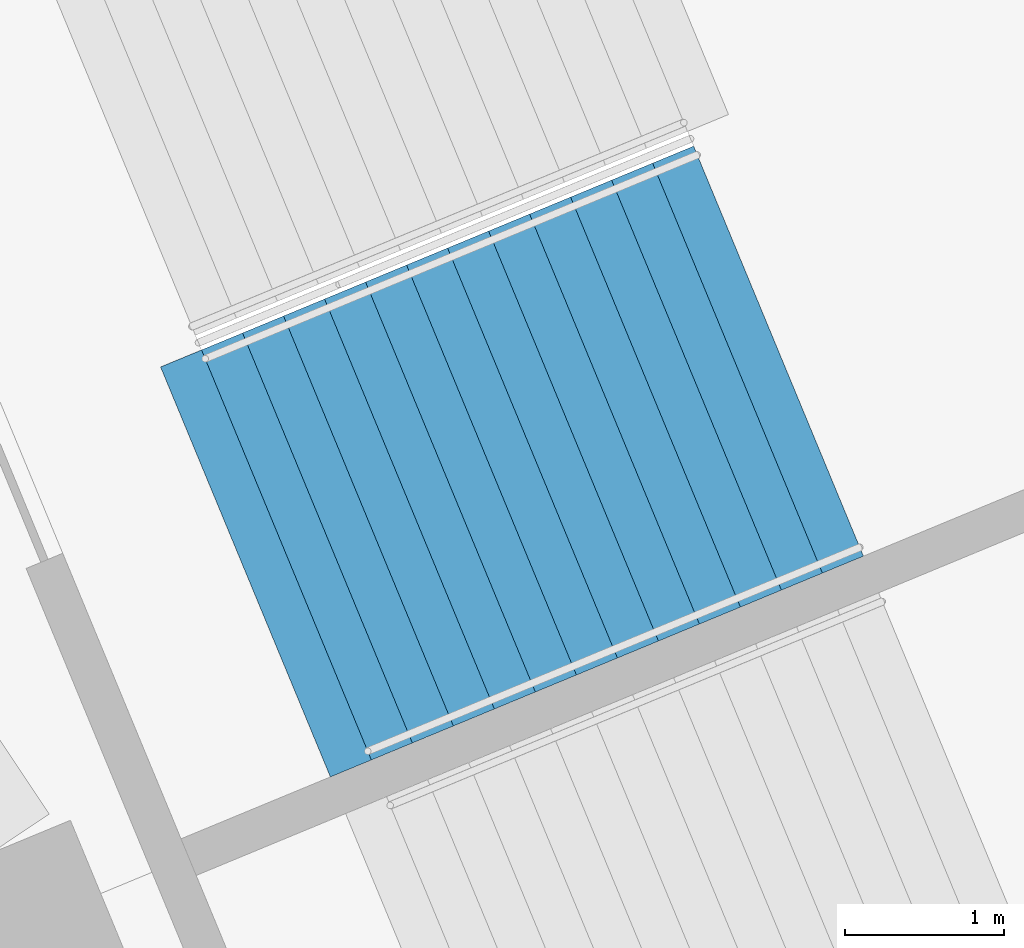
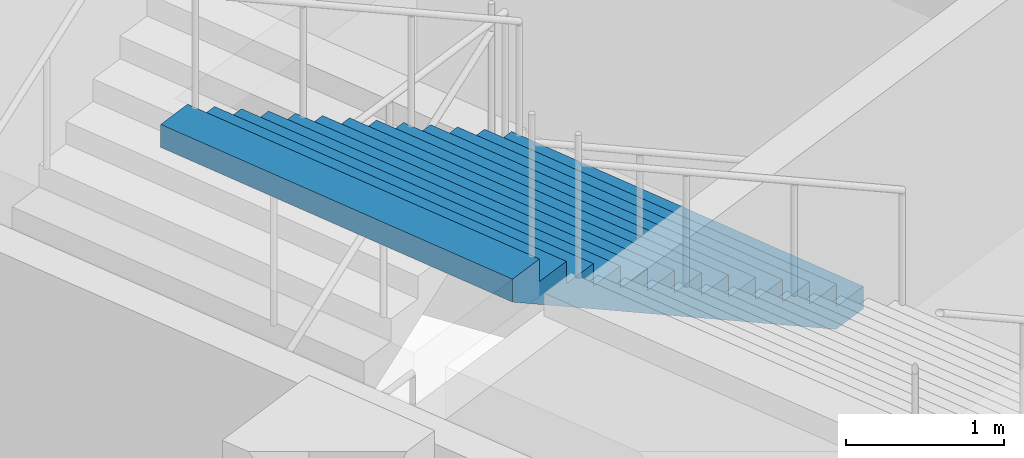
# One storey, part 226 of 249: 1 stair flight, 1 element without a shape of its own.
"""IFC4 building model written with IfcOpenShell, lengths in metres."""

from ifc_helpers import new_model, si_unit, direction, frame, origin, place, context, subcontext, project, spatial, faceted_brep, material, type_object, element, aggregate, save


model = new_model("IFC4")

# Units and contexts
model_context = context("Model", 3, precision=1e-05, world=origin(), true_north=direction((0.0, 1.0)))
body_context = subcontext(model_context, "Body", "Model", "MODEL_VIEW")
ifc_project = project(units=[si_unit("LENGTHUNIT", "METRE"), si_unit("AREAUNIT", "SQUARE_METRE"), si_unit("VOLUMEUNIT", "CUBIC_METRE"), si_unit("PLANEANGLEUNIT", "RADIAN"), si_unit("MASSUNIT", "GRAM", prefix="KILO")], contexts=[model_context])

# Site, building, storey
site_placement = place(None, origin())
site = spatial("IfcSite", under=ifc_project, at=site_placement, CompositionType="ELEMENT")
building_placement = place(site_placement, origin())
building = spatial("IfcBuilding", under=site, at=building_placement, Name="Ogive Plaza Stadium", CompositionType="ELEMENT")
storey_placement = place(building_placement, frame((0.0, 0.0, 13.5)))
storey = spatial("IfcBuildingStorey", under=building, at=storey_placement, Name="L03", CompositionType="ELEMENT", Elevation=13.5)

# Stair, stair flight
ifc_material_1 = material(Name="Concrete C40/50", Category="concrete")
stair_type = type_object("IfcStairType", Name="Exit stair", PredefinedType="STRAIGHT_RUN_STAIR", material=ifc_material_1)
stair_placement = place(storey_placement, origin())
stair = element("IfcStair", 1, at=stair_placement, inside=storey, type_object=stair_type, Name="Exit stair ST40B L03 to L04", PredefinedType="STRAIGHT_RUN_STAIR")
ifc_material_2 = material(Name="Concrete C40/50", Category="concrete")
stair_flight_type = type_object("IfcStairFlightType", Name="Exit stair flight", PredefinedType="STRAIGHT", material=ifc_material_2)
stair_flight_placement = place(storey_placement, frame((75.64697265625, 71.4013671875, 2.25), z_axis=(0.0, 0.0, 1.0), x_axis=(-0.923879532511, -0.382683432365, 0.0)))
stair_flight = element("IfcStairFlight", 2, at=stair_flight_placement, type_object=stair_flight_type, Name="ST40B flight 2", NumberOfRisers=13, NumberOfTreads=12, PredefinedType="STRAIGHT", RiserHeight=0.173076923, TreadLength=0.28, context=body_context, shape_type="Brep", body=[
    faceted_brep([(0.28515625, -1.39990234375, 0.0), (3.639892578125, -1.39990234375, 2.07373046875), (3.639892578125, -1.39990234375, 2.25), (3.360107421875, -1.39990234375, 2.25), (3.360107421875, -1.39990234375, 2.076904296875), (3.080078125, -1.39990234375, 2.076904296875), (3.080078125, -1.39990234375, 1.90380859375), (2.800048828125, -1.39990234375, 1.90380859375), (2.800048828125, -1.39990234375, 1.730712890625), (2.52001953125, -1.39990234375, 1.730712890625), (2.52001953125, -1.39990234375, 1.5576171875), (2.239990234375, -1.39990234375, 1.5576171875), (2.239990234375, -1.39990234375, 1.384521484375), (1.9599609375, -1.39990234375, 1.384521484375), (1.9599609375, -1.39990234375, 1.21142578125), (1.679931640625, -1.39990234375, 1.21142578125), (1.679931640625, -1.39990234375, 1.03857421875), (1.39990234375, -1.39990234375, 1.03857421875), (1.39990234375, -1.39990234375, 0.865478515625), (1.1201171875, -1.39990234375, 0.865478515625), (1.1201171875, -1.39990234375, 0.6923828125), (0.840087890625, -1.39990234375, 0.6923828125), (0.840087890625, -1.39990234375, 0.519287109375), (0.56005859375, -1.39990234375, 0.519287109375), (0.56005859375, -1.39990234375, 0.34619140625), (0.280029296875, -1.39990234375, 0.34619140625), (0.280029296875, -1.39990234375, 0.173095703125), (0.0, -1.39990234375, 0.173095703125), (0.0, -1.39990234375, 0.0), (0.0, 1.39990234375, 0.0), (0.0, 1.39990234375, 0.173095703125), (0.280029296875, 1.39990234375, 0.173095703125), (0.280029296875, 1.39990234375, 0.34619140625), (0.56005859375, 1.39990234375, 0.34619140625), (0.56005859375, 1.39990234375, 0.519287109375), (0.840087890625, 1.39990234375, 0.519287109375), (0.840087890625, 1.39990234375, 0.6923828125), (1.1201171875, 1.39990234375, 0.6923828125), (1.1201171875, 1.39990234375, 0.865478515625), (1.39990234375, 1.39990234375, 0.865478515625), (1.39990234375, 1.39990234375, 1.03857421875), (1.679931640625, 1.39990234375, 1.03857421875), (1.679931640625, 1.39990234375, 1.21142578125), (1.9599609375, 1.39990234375, 1.21142578125), (1.9599609375, 1.39990234375, 1.384521484375), (2.239990234375, 1.39990234375, 1.384521484375), (2.239990234375, 1.39990234375, 1.5576171875), (2.52001953125, 1.39990234375, 1.5576171875), (2.52001953125, 1.39990234375, 1.730712890625), (2.800048828125, 1.39990234375, 1.730712890625), (2.800048828125, 1.39990234375, 1.90380859375), (3.080078125, 1.39990234375, 1.90380859375), (3.080078125, 1.39990234375, 2.076904296875), (3.360107421875, 1.39990234375, 2.076904296875), (3.360107421875, 1.39990234375, 2.25), (3.639892578125, 1.39990234375, 2.25), (3.639892578125, 1.39990234375, 2.07373046875), (0.28515625, 1.39990234375, 0.0), (0.28515625, -1.0888671875, 0.0), (3.639892578125, -1.0888671875, 2.07373046875), (0.28515625, -0.77783203125, 0.0), (3.639892578125, -0.77783203125, 2.07373046875), (0.28515625, -0.466796875, 0.0), (3.639892578125, -0.466796875, 2.07373046875), (0.28515625, -0.155517578125, 0.0), (3.639892578125, -0.155517578125, 2.07373046875), (0.28515625, 0.155517578125, 0.0), (3.639892578125, 0.155517578125, 2.07373046875), (0.28515625, 0.466796875, 0.0), (3.639892578125, 0.466796875, 2.07373046875), (0.28515625, 0.77783203125, 0.0), (3.639892578125, 0.77783203125, 2.07373046875), (0.28515625, 1.0888671875, 0.0), (3.639892578125, 1.0888671875, 2.07373046875), (3.639892578125, -1.0888671875, 2.25), (3.639892578125, -0.77783203125, 2.25), (3.639892578125, -0.466796875, 2.25), (3.639892578125, -0.155517578125, 2.25), (3.639892578125, 0.155517578125, 2.25), (3.639892578125, 0.466796875, 2.25), (3.639892578125, 0.77783203125, 2.25), (3.639892578125, 1.0888671875, 2.25), (3.360107421875, -1.0888671875, 2.25), (3.360107421875, -0.77783203125, 2.25), (3.360107421875, -0.466796875, 2.25), (3.360107421875, -0.155517578125, 2.25), (3.360107421875, 0.155517578125, 2.25), (3.360107421875, 0.466796875, 2.25), (3.360107421875, 0.77783203125, 2.25), (3.360107421875, 1.0888671875, 2.25), (3.360107421875, -1.0888671875, 2.076904296875), (3.360107421875, -0.77783203125, 2.076904296875), (3.360107421875, -0.466796875, 2.076904296875), (3.360107421875, -0.155517578125, 2.076904296875), (3.360107421875, 0.155517578125, 2.076904296875), (3.360107421875, 0.466796875, 2.076904296875), (3.360107421875, 0.77783203125, 2.076904296875), (3.360107421875, 1.0888671875, 2.076904296875), (3.080078125, -1.0888671875, 2.076904296875), (3.080078125, -0.77783203125, 2.076904296875), (3.080078125, -0.466796875, 2.076904296875), (3.080078125, -0.155517578125, 2.076904296875), (3.080078125, 0.155517578125, 2.076904296875), (3.080078125, 0.466796875, 2.076904296875), (3.080078125, 0.77783203125, 2.076904296875), (3.080078125, 1.0888671875, 2.076904296875), (3.080078125, -1.0888671875, 1.90380859375), (3.080078125, -0.77783203125, 1.90380859375), (3.080078125, -0.466796875, 1.90380859375), (3.080078125, -0.155517578125, 1.90380859375), (3.080078125, 0.155517578125, 1.90380859375), (3.080078125, 0.466796875, 1.90380859375), (3.080078125, 0.77783203125, 1.90380859375), (3.080078125, 1.0888671875, 1.90380859375), (2.800048828125, -1.0888671875, 1.90380859375), (2.800048828125, -0.77783203125, 1.90380859375), (2.800048828125, -0.466796875, 1.90380859375), (2.800048828125, -0.155517578125, 1.90380859375), (2.800048828125, 0.155517578125, 1.90380859375), (2.800048828125, 0.466796875, 1.90380859375), (2.800048828125, 0.77783203125, 1.90380859375), (2.800048828125, 1.0888671875, 1.90380859375), (2.800048828125, -1.0888671875, 1.730712890625), (2.800048828125, -0.77783203125, 1.730712890625), (2.800048828125, -0.466796875, 1.730712890625), (2.800048828125, -0.155517578125, 1.730712890625), (2.800048828125, 0.155517578125, 1.730712890625), (2.800048828125, 0.466796875, 1.730712890625), (2.800048828125, 0.77783203125, 1.730712890625), (2.800048828125, 1.0888671875, 1.730712890625), (2.52001953125, -1.0888671875, 1.730712890625), (2.52001953125, -0.77783203125, 1.730712890625), (2.52001953125, -0.466796875, 1.730712890625), (2.52001953125, -0.155517578125, 1.730712890625), (2.52001953125, 0.155517578125, 1.730712890625), (2.52001953125, 0.466796875, 1.730712890625), (2.52001953125, 0.77783203125, 1.730712890625), (2.52001953125, 1.0888671875, 1.730712890625), (2.52001953125, -1.0888671875, 1.5576171875), (2.52001953125, -0.77783203125, 1.5576171875), (2.52001953125, -0.466796875, 1.5576171875), (2.52001953125, -0.155517578125, 1.5576171875), (2.52001953125, 0.155517578125, 1.5576171875), (2.52001953125, 0.466796875, 1.5576171875), (2.52001953125, 0.77783203125, 1.5576171875), (2.52001953125, 1.0888671875, 1.5576171875), (2.239990234375, -1.0888671875, 1.5576171875), (2.239990234375, -0.77783203125, 1.5576171875), (2.239990234375, -0.466796875, 1.5576171875), (2.239990234375, -0.155517578125, 1.5576171875), (2.239990234375, 0.155517578125, 1.5576171875), (2.239990234375, 0.466796875, 1.5576171875), (2.239990234375, 0.77783203125, 1.5576171875), (2.239990234375, 1.0888671875, 1.5576171875), (2.239990234375, -1.0888671875, 1.384521484375), (2.239990234375, -0.77783203125, 1.384521484375), (2.239990234375, -0.466796875, 1.384521484375), (2.239990234375, -0.155517578125, 1.384521484375), (2.239990234375, 0.155517578125, 1.384521484375), (2.239990234375, 0.466796875, 1.384521484375), (2.239990234375, 0.77783203125, 1.384521484375), (2.239990234375, 1.0888671875, 1.384521484375), (1.9599609375, -1.0888671875, 1.384521484375), (1.9599609375, -0.77783203125, 1.384521484375), (1.9599609375, -0.466796875, 1.384521484375), (1.9599609375, -0.155517578125, 1.384521484375), (1.9599609375, 0.155517578125, 1.384521484375), (1.9599609375, 0.466796875, 1.384521484375), (1.9599609375, 0.77783203125, 1.384521484375), (1.9599609375, 1.0888671875, 1.384521484375), (1.9599609375, -1.0888671875, 1.21142578125), (1.9599609375, -0.77783203125, 1.21142578125), (1.9599609375, -0.466796875, 1.21142578125), (1.9599609375, -0.155517578125, 1.21142578125), (1.9599609375, 0.155517578125, 1.21142578125), (1.9599609375, 0.466796875, 1.21142578125), (1.9599609375, 0.77783203125, 1.21142578125), (1.9599609375, 1.0888671875, 1.21142578125), (1.679931640625, -1.0888671875, 1.21142578125), (1.679931640625, -0.77783203125, 1.21142578125), (1.679931640625, -0.466796875, 1.21142578125), (1.679931640625, -0.155517578125, 1.21142578125), (1.679931640625, 0.155517578125, 1.21142578125), (1.679931640625, 0.466796875, 1.21142578125), (1.679931640625, 0.77783203125, 1.21142578125), (1.679931640625, 1.0888671875, 1.21142578125), (1.679931640625, -1.0888671875, 1.03857421875), (1.679931640625, -0.77783203125, 1.03857421875), (1.679931640625, -0.466796875, 1.03857421875), (1.679931640625, -0.155517578125, 1.03857421875), (1.679931640625, 0.155517578125, 1.03857421875), (1.679931640625, 0.466796875, 1.03857421875), (1.679931640625, 0.77783203125, 1.03857421875), (1.679931640625, 1.0888671875, 1.03857421875), (1.39990234375, -1.0888671875, 1.03857421875), (1.39990234375, -0.77783203125, 1.03857421875), (1.39990234375, -0.466796875, 1.03857421875), (1.39990234375, -0.155517578125, 1.03857421875), (1.39990234375, 0.155517578125, 1.03857421875), (1.39990234375, 0.466796875, 1.03857421875), (1.39990234375, 0.77783203125, 1.03857421875), (1.39990234375, 1.0888671875, 1.03857421875), (1.39990234375, -1.0888671875, 0.865478515625), (1.39990234375, -0.77783203125, 0.865478515625), (1.39990234375, -0.466796875, 0.865478515625), (1.39990234375, -0.155517578125, 0.865478515625), (1.39990234375, 0.155517578125, 0.865478515625), (1.39990234375, 0.466796875, 0.865478515625), (1.39990234375, 0.77783203125, 0.865478515625), (1.39990234375, 1.0888671875, 0.865478515625), (1.1201171875, -1.0888671875, 0.865478515625), (1.1201171875, -0.77783203125, 0.865478515625), (1.1201171875, -0.466796875, 0.865478515625), (1.1201171875, -0.155517578125, 0.865478515625), (1.1201171875, 0.155517578125, 0.865478515625), (1.1201171875, 0.466796875, 0.865478515625), (1.1201171875, 0.77783203125, 0.865478515625), (1.1201171875, 1.0888671875, 0.865478515625), (1.1201171875, -1.0888671875, 0.6923828125), (1.1201171875, -0.77783203125, 0.6923828125), (1.1201171875, -0.466796875, 0.6923828125), (1.1201171875, -0.155517578125, 0.6923828125), (1.1201171875, 0.155517578125, 0.6923828125), (1.1201171875, 0.466796875, 0.6923828125), (1.1201171875, 0.77783203125, 0.6923828125), (1.1201171875, 1.0888671875, 0.6923828125), (0.840087890625, -1.0888671875, 0.6923828125), (0.840087890625, -0.77783203125, 0.6923828125), (0.840087890625, -0.466796875, 0.6923828125), (0.840087890625, -0.155517578125, 0.6923828125), (0.840087890625, 0.155517578125, 0.6923828125), (0.840087890625, 0.466796875, 0.6923828125), (0.840087890625, 0.77783203125, 0.6923828125), (0.840087890625, 1.0888671875, 0.6923828125), (0.840087890625, -1.0888671875, 0.519287109375), (0.840087890625, -0.77783203125, 0.519287109375), (0.840087890625, -0.466796875, 0.519287109375), (0.840087890625, -0.155517578125, 0.519287109375), (0.840087890625, 0.155517578125, 0.519287109375), (0.840087890625, 0.466796875, 0.519287109375), (0.840087890625, 0.77783203125, 0.519287109375), (0.840087890625, 1.0888671875, 0.519287109375), (0.56005859375, -1.0888671875, 0.519287109375), (0.56005859375, -0.77783203125, 0.519287109375), (0.56005859375, -0.466796875, 0.519287109375), (0.56005859375, -0.155517578125, 0.519287109375), (0.56005859375, 0.155517578125, 0.519287109375), (0.56005859375, 0.466796875, 0.519287109375), (0.56005859375, 0.77783203125, 0.519287109375), (0.56005859375, 1.0888671875, 0.519287109375), (0.56005859375, -1.0888671875, 0.34619140625), (0.56005859375, -0.77783203125, 0.34619140625), (0.56005859375, -0.466796875, 0.34619140625), (0.56005859375, -0.155517578125, 0.34619140625), (0.56005859375, 0.155517578125, 0.34619140625), (0.56005859375, 0.466796875, 0.34619140625), (0.56005859375, 0.77783203125, 0.34619140625), (0.56005859375, 1.0888671875, 0.34619140625), (0.280029296875, -1.0888671875, 0.34619140625), (0.280029296875, -0.77783203125, 0.34619140625), (0.280029296875, -0.466796875, 0.34619140625), (0.280029296875, -0.155517578125, 0.34619140625), (0.280029296875, 0.155517578125, 0.34619140625), (0.280029296875, 0.466796875, 0.34619140625), (0.280029296875, 0.77783203125, 0.34619140625), (0.280029296875, 1.0888671875, 0.34619140625), (0.280029296875, -1.0888671875, 0.173095703125), (0.280029296875, -0.77783203125, 0.173095703125), (0.280029296875, -0.466796875, 0.173095703125), (0.280029296875, -0.155517578125, 0.173095703125), (0.280029296875, 0.155517578125, 0.173095703125), (0.280029296875, 0.466796875, 0.173095703125), (0.280029296875, 0.77783203125, 0.173095703125), (0.280029296875, 1.0888671875, 0.173095703125), (0.0, -1.0888671875, 0.173095703125), (0.0, -0.77783203125, 0.173095703125), (0.0, -0.466796875, 0.173095703125), (0.0, -0.155517578125, 0.173095703125), (0.0, 0.155517578125, 0.173095703125), (0.0, 0.466796875, 0.173095703125), (0.0, 0.77783203125, 0.173095703125), (0.0, 1.0888671875, 0.173095703125), (0.0, -1.0888671875, 0.0), (0.0, -0.77783203125, 0.0), (0.0, -0.466796875, 0.0), (0.0, -0.155517578125, 0.0), (0.0, 0.155517578125, 0.0), (0.0, 0.466796875, 0.0), (0.0, 0.77783203125, 0.0), (0.0, 1.0888671875, 0.0)], [[[0, 1, 2, 3, 4, 5, 6, 7, 8, 9, 10, 11, 12, 13, 14, 15, 16, 17, 18, 19, 20, 21, 22, 23, 24, 25, 26, 27, 28]], [[29, 30, 31, 32, 33, 34, 35, 36, 37, 38, 39, 40, 41, 42, 43, 44, 45, 46, 47, 48, 49, 50, 51, 52, 53, 54, 55, 56, 57]], [[0, 58, 59, 1]], [[58, 60, 61, 59]], [[60, 62, 63, 61]], [[62, 64, 65, 63]], [[64, 66, 67, 65]], [[66, 68, 69, 67]], [[68, 70, 71, 69]], [[70, 72, 73, 71]], [[72, 57, 56, 73]], [[1, 59, 74, 2]], [[59, 61, 75, 74]], [[61, 63, 76, 75]], [[63, 65, 77, 76]], [[65, 67, 78, 77]], [[67, 69, 79, 78]], [[69, 71, 80, 79]], [[71, 73, 81, 80]], [[73, 56, 55, 81]], [[2, 74, 82, 3]], [[74, 75, 83, 82]], [[75, 76, 84, 83]], [[76, 77, 85, 84]], [[77, 78, 86, 85]], [[78, 79, 87, 86]], [[79, 80, 88, 87]], [[80, 81, 89, 88]], [[81, 55, 54, 89]], [[3, 82, 90, 4]], [[82, 83, 91, 90]], [[83, 84, 92, 91]], [[84, 85, 93, 92]], [[85, 86, 94, 93]], [[86, 87, 95, 94]], [[87, 88, 96, 95]], [[88, 89, 97, 96]], [[89, 54, 53, 97]], [[4, 90, 98, 5]], [[90, 91, 99, 98]], [[91, 92, 100, 99]], [[92, 93, 101, 100]], [[93, 94, 102, 101]], [[94, 95, 103, 102]], [[95, 96, 104, 103]], [[96, 97, 105, 104]], [[97, 53, 52, 105]], [[5, 98, 106, 6]], [[98, 99, 107, 106]], [[99, 100, 108, 107]], [[100, 101, 109, 108]], [[101, 102, 110, 109]], [[102, 103, 111, 110]], [[103, 104, 112, 111]], [[104, 105, 113, 112]], [[105, 52, 51, 113]], [[6, 106, 114, 7]], [[106, 107, 115, 114]], [[107, 108, 116, 115]], [[108, 109, 117, 116]], [[109, 110, 118, 117]], [[110, 111, 119, 118]], [[111, 112, 120, 119]], [[112, 113, 121, 120]], [[113, 51, 50, 121]], [[7, 114, 122, 8]], [[114, 115, 123, 122]], [[115, 116, 124, 123]], [[116, 117, 125, 124]], [[117, 118, 126, 125]], [[118, 119, 127, 126]], [[119, 120, 128, 127]], [[120, 121, 129, 128]], [[121, 50, 49, 129]], [[8, 122, 130, 9]], [[122, 123, 131, 130]], [[123, 124, 132, 131]], [[124, 125, 133, 132]], [[125, 126, 134, 133]], [[126, 127, 135, 134]], [[127, 128, 136, 135]], [[128, 129, 137, 136]], [[129, 49, 48, 137]], [[9, 130, 138, 10]], [[130, 131, 139, 138]], [[131, 132, 140, 139]], [[132, 133, 141, 140]], [[133, 134, 142, 141]], [[134, 135, 143, 142]], [[135, 136, 144, 143]], [[136, 137, 145, 144]], [[137, 48, 47, 145]], [[10, 138, 146, 11]], [[138, 139, 147, 146]], [[139, 140, 148, 147]], [[140, 141, 149, 148]], [[141, 142, 150, 149]], [[142, 143, 151, 150]], [[143, 144, 152, 151]], [[144, 145, 153, 152]], [[145, 47, 46, 153]], [[11, 146, 154, 12]], [[146, 147, 155, 154]], [[147, 148, 156, 155]], [[148, 149, 157, 156]], [[149, 150, 158, 157]], [[150, 151, 159, 158]], [[151, 152, 160, 159]], [[152, 153, 161, 160]], [[153, 46, 45, 161]], [[12, 154, 162, 13]], [[154, 155, 163, 162]], [[155, 156, 164, 163]], [[156, 157, 165, 164]], [[157, 158, 166, 165]], [[158, 159, 167, 166]], [[159, 160, 168, 167]], [[160, 161, 169, 168]], [[161, 45, 44, 169]], [[13, 162, 170, 14]], [[162, 163, 171, 170]], [[163, 164, 172, 171]], [[164, 165, 173, 172]], [[165, 166, 174, 173]], [[166, 167, 175, 174]], [[167, 168, 176, 175]], [[168, 169, 177, 176]], [[169, 44, 43, 177]], [[14, 170, 178, 15]], [[170, 171, 179, 178]], [[171, 172, 180, 179]], [[172, 173, 181, 180]], [[173, 174, 182, 181]], [[174, 175, 183, 182]], [[175, 176, 184, 183]], [[176, 177, 185, 184]], [[177, 43, 42, 185]], [[15, 178, 186, 16]], [[178, 179, 187, 186]], [[179, 180, 188, 187]], [[180, 181, 189, 188]], [[181, 182, 190, 189]], [[182, 183, 191, 190]], [[183, 184, 192, 191]], [[184, 185, 193, 192]], [[185, 42, 41, 193]], [[16, 186, 194, 17]], [[186, 187, 195, 194]], [[187, 188, 196, 195]], [[188, 189, 197, 196]], [[189, 190, 198, 197]], [[190, 191, 199, 198]], [[191, 192, 200, 199]], [[192, 193, 201, 200]], [[193, 41, 40, 201]], [[17, 194, 202, 18]], [[194, 195, 203, 202]], [[195, 196, 204, 203]], [[196, 197, 205, 204]], [[197, 198, 206, 205]], [[198, 199, 207, 206]], [[199, 200, 208, 207]], [[200, 201, 209, 208]], [[201, 40, 39, 209]], [[18, 202, 210, 19]], [[202, 203, 211, 210]], [[203, 204, 212, 211]], [[204, 205, 213, 212]], [[205, 206, 214, 213]], [[206, 207, 215, 214]], [[207, 208, 216, 215]], [[208, 209, 217, 216]], [[209, 39, 38, 217]], [[19, 210, 218, 20]], [[210, 211, 219, 218]], [[211, 212, 220, 219]], [[212, 213, 221, 220]], [[213, 214, 222, 221]], [[214, 215, 223, 222]], [[215, 216, 224, 223]], [[216, 217, 225, 224]], [[217, 38, 37, 225]], [[20, 218, 226, 21]], [[218, 219, 227, 226]], [[219, 220, 228, 227]], [[220, 221, 229, 228]], [[221, 222, 230, 229]], [[222, 223, 231, 230]], [[223, 224, 232, 231]], [[224, 225, 233, 232]], [[225, 37, 36, 233]], [[21, 226, 234, 22]], [[226, 227, 235, 234]], [[227, 228, 236, 235]], [[228, 229, 237, 236]], [[229, 230, 238, 237]], [[230, 231, 239, 238]], [[231, 232, 240, 239]], [[232, 233, 241, 240]], [[233, 36, 35, 241]], [[22, 234, 242, 23]], [[234, 235, 243, 242]], [[235, 236, 244, 243]], [[236, 237, 245, 244]], [[237, 238, 246, 245]], [[238, 239, 247, 246]], [[239, 240, 248, 247]], [[240, 241, 249, 248]], [[241, 35, 34, 249]], [[23, 242, 250, 24]], [[242, 243, 251, 250]], [[243, 244, 252, 251]], [[244, 245, 253, 252]], [[245, 246, 254, 253]], [[246, 247, 255, 254]], [[247, 248, 256, 255]], [[248, 249, 257, 256]], [[249, 34, 33, 257]], [[24, 250, 258, 25]], [[250, 251, 259, 258]], [[251, 252, 260, 259]], [[252, 253, 261, 260]], [[253, 254, 262, 261]], [[254, 255, 263, 262]], [[255, 256, 264, 263]], [[256, 257, 265, 264]], [[257, 33, 32, 265]], [[25, 258, 266, 26]], [[258, 259, 267, 266]], [[259, 260, 268, 267]], [[260, 261, 269, 268]], [[261, 262, 270, 269]], [[262, 263, 271, 270]], [[263, 264, 272, 271]], [[264, 265, 273, 272]], [[265, 32, 31, 273]], [[26, 266, 274, 27]], [[266, 267, 275, 274]], [[267, 268, 276, 275]], [[268, 269, 277, 276]], [[269, 270, 278, 277]], [[270, 271, 279, 278]], [[271, 272, 280, 279]], [[272, 273, 281, 280]], [[273, 31, 30, 281]], [[27, 274, 282, 28]], [[274, 275, 283, 282]], [[275, 276, 284, 283]], [[276, 277, 285, 284]], [[277, 278, 286, 285]], [[278, 279, 287, 286]], [[279, 280, 288, 287]], [[280, 281, 289, 288]], [[281, 30, 29, 289]], [[28, 282, 58, 0]], [[282, 283, 60, 58]], [[283, 284, 62, 60]], [[284, 285, 64, 62]], [[285, 286, 66, 64]], [[286, 287, 68, 66]], [[287, 288, 70, 68]], [[288, 289, 72, 70]], [[289, 29, 57, 72]]]),
])
aggregate(stair, [stair_flight])

save(model, "model.ifc")
